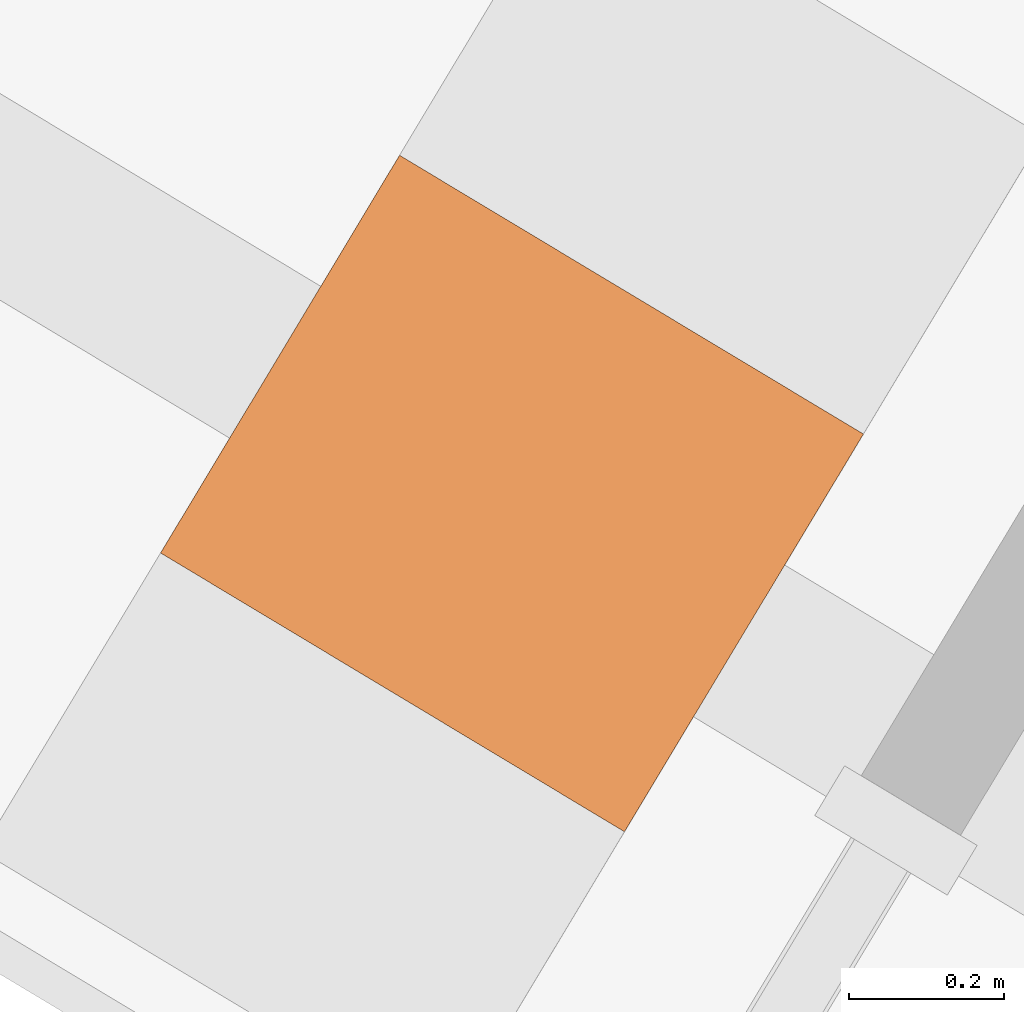
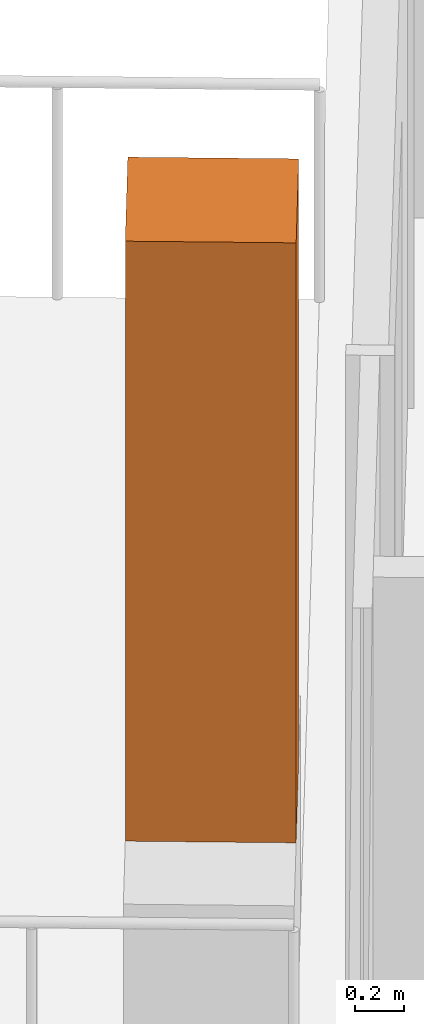
# One storey, part 18 of 18: 1 geographic element.
"""IFC4 building model written with IfcOpenShell, lengths in metres."""

from ifc_helpers import new_model, si_unit, direction, frame, origin, origin_2d, place, context, subcontext, project, spatial, rectangle, extrude, source, transform, mapped, material, type_object, element, save


model = new_model("IFC4")

# Units and contexts
model_context = context("Model", 3, precision=1e-05, world=origin(), true_north=direction((0.0, 1.0)))
body_context = subcontext(model_context, "Body", "Model", "MODEL_VIEW")
ifc_project = project(units=[si_unit("LENGTHUNIT", "METRE"), si_unit("AREAUNIT", "SQUARE_METRE"), si_unit("VOLUMEUNIT", "CUBIC_METRE"), si_unit("PLANEANGLEUNIT", "RADIAN"), si_unit("MASSUNIT", "GRAM", prefix="KILO")], contexts=[model_context])

# Site, building, storey
site_placement = place(None, origin())
site = spatial("IfcSite", under=ifc_project, at=site_placement, CompositionType="ELEMENT")
building_placement = place(site_placement, origin())
building = spatial("IfcBuilding", under=site, at=building_placement, Name="Triune Harvest Tower", CompositionType="ELEMENT")
storey_placement = place(building_placement, frame((0.0, 0.0, 190.699951171875)))
storey = spatial("IfcBuildingStorey", under=building, at=storey_placement, Name="L49", CompositionType="ELEMENT", Elevation=190.699951171875)

# Geographic element
ifc_material = material(Name="TREE-1 tree")
geographic_element_type = type_object("IfcGeographicElementType", Name="TREE-1 tree", PredefinedType="USERDEFINED", material=ifc_material)
shared_shape = source(origin(), body_context, "Body", "SweptSolid", [
    extrude(rectangle(XDim=0.60009765625, YDim=0.699951171875, at=origin_2d()), origin(), (0.0, 0.0, 1.0), 3.0),
])
geographic_element_placement = place(storey_placement, frame((-19.38818359375, 9.141357421875, 1.10009765625), z_axis=(0.0, 0.0, 1.0), x_axis=(-0.515036632219, -0.857168167557, 0.0)))
element("IfcGeographicElement", 1, at=geographic_element_placement, inside=storey, type_object=geographic_element_type, Name="Tree B5-F3 L49.6b", ObjectType="TREE", PredefinedType="USERDEFINED", context=body_context, shape_type="MappedRepresentation", body=[
    mapped(shared_shape, transform((0.0, 0.0, 0.0), scale=1.0)),
])

save(model, "model.ifc")
